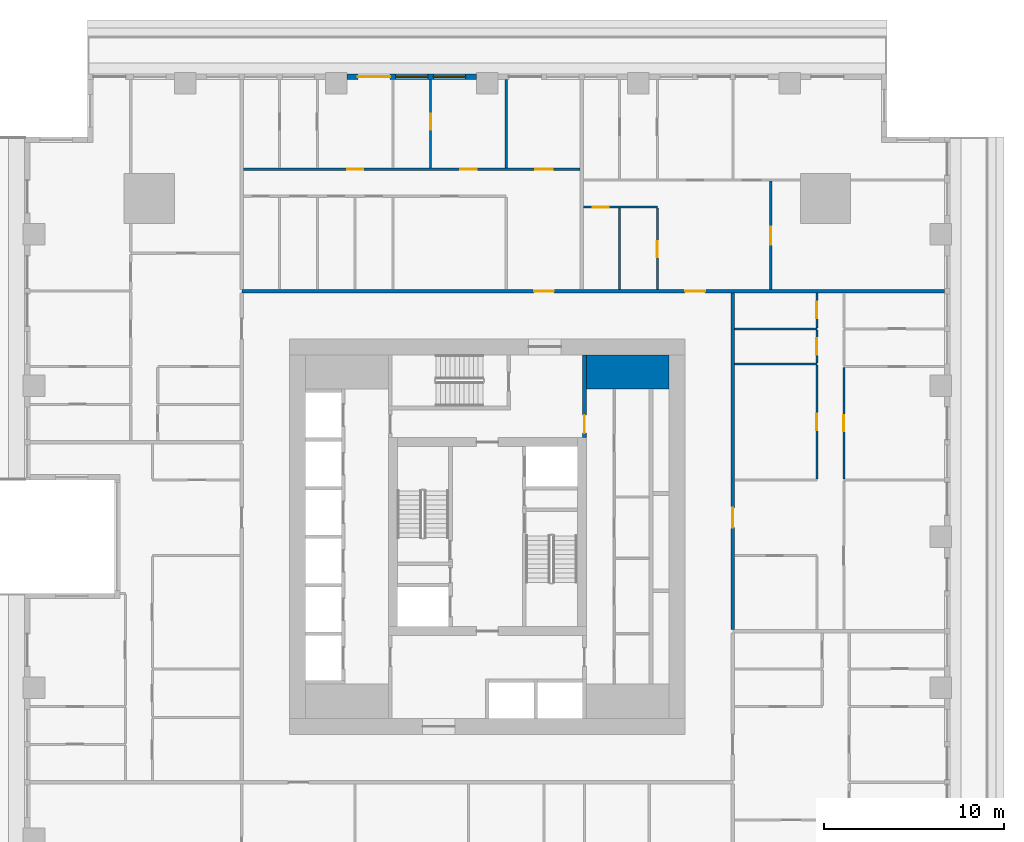
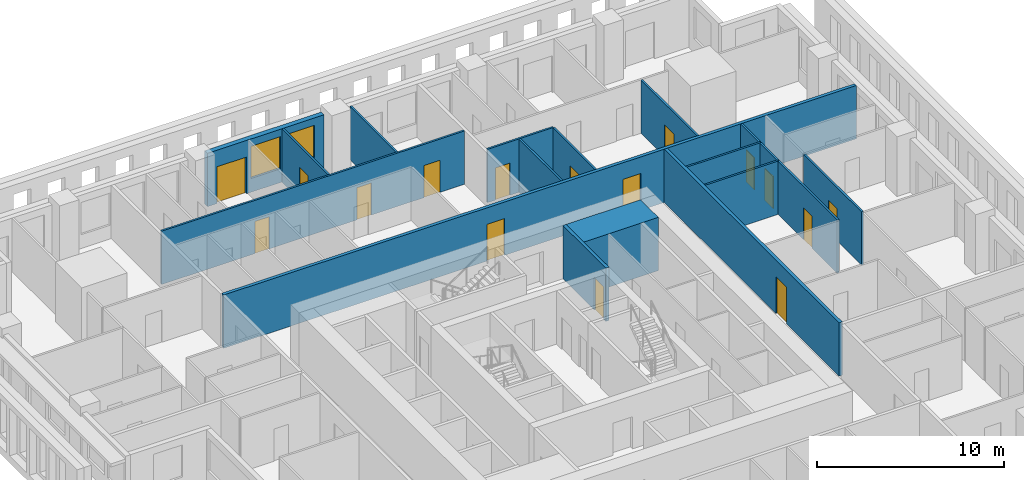
# One storey, part 8 of 15: 18 walls, 16 doors, 2 windows, 18 openings.
"""IFC4 building model written with IfcOpenShell, lengths in metres."""

import ifcopenshell
import ifcopenshell.guid

model = None  # the IFC model being written
_history = None  # IfcOwnerHistory: only IFC2X3 demands one
_inside = {}  # id of a spatial element -> (the spatial element, [elements in it])
_under = {}  # id of a project, library or spatial element -> (it, [spatial elements below it])
_declared = {}  # id of a project -> (the project, [libraries it declares])
_typed = {}  # id of a type object -> (the type object, [elements of that type])
_made_of = {}  # id of a material, layer set ... -> (it, [elements and type objects made of it])


def new_model(schema):
    """Start an empty IFC model of exactly this schema.

    Asked for "IFC4X3", IfcOpenShell would pick the latest addendum, in which some entities
    have other attributes; the version numbers below select the first issue.
    IFC2X3 requires an IfcOwnerHistory on every rooted entity: one is made here for all.
    """
    global model, _history
    if schema == "IFC4X3":
        model = ifcopenshell.file(schema_version=(4, 3, 0, 0))
    else:
        model = ifcopenshell.file(schema=schema)
    _inside.clear()
    _under.clear()
    _declared.clear()
    _typed.clear()
    _made_of.clear()
    _history = None
    if model.schema == "IFC2X3":
        org = make("IfcOrganization", Name="unknown")
        user = make(
            "IfcPersonAndOrganization",
            ThePerson=make("IfcPerson", FamilyName="unknown"),
            TheOrganization=org,
        )
        app = make(
            "IfcApplication",
            ApplicationDeveloper=org,
            Version="unknown",
            ApplicationFullName="unknown",
            ApplicationIdentifier="unknown",
        )
        _history = make(
            "IfcOwnerHistory",
            OwningUser=user,
            OwningApplication=app,
            ChangeAction="ADDED",
            CreationDate=0,
        )
    return model


def make(cls, **values):
    """One entity of the class cls with the attributes given. An attribute that is None is left unset."""
    return model.create_entity(
        cls, **{name: value for name, value in values.items() if value is not None}
    )


def rooted(cls, **values):
    """An entity with a GlobalId (a new one), such as an element, a storey or a relation."""
    return make(cls, GlobalId=ifcopenshell.guid.new(), OwnerHistory=_history, **values)


def si_unit(unit_type, name, prefix=None):
    """IfcSIUnit, for example si_unit("LENGTHUNIT", "METRE", prefix="MILLI")."""
    return make("IfcSIUnit", UnitType=unit_type, Prefix=prefix, Name=name)


def assignment(units):
    """IfcUnitAssignment: the units of a project."""
    return None if units is None else make("IfcUnitAssignment", Units=units)


def point(xyz):
    """IfcCartesianPoint."""
    return None if xyz is None else make("IfcCartesianPoint", Coordinates=xyz)


def direction(xyz):
    """IfcDirection."""
    return None if xyz is None else make("IfcDirection", DirectionRatios=xyz)


def frame(location, z_axis=None, x_axis=None):
    """IfcAxis2Placement3D, a coordinate frame: its origin and axes. An axis left out is left unset."""
    return make(
        "IfcAxis2Placement3D",
        Location=point(location),
        Axis=direction(z_axis),
        RefDirection=direction(x_axis),
    )


def frame_2d(location, x_axis=None):
    """IfcAxis2Placement2D, a coordinate frame in the plane: its origin and x axis."""
    return make(
        "IfcAxis2Placement2D", Location=point(location), RefDirection=direction(x_axis)
    )


def origin():
    """The frame at (0, 0, 0) with its axes left unset."""
    return frame((0.0, 0.0, 0.0))


def place(relative_to, where):
    """IfcLocalPlacement: puts the frame where relative to a parent placement (None: the world)."""
    return make(
        "IfcLocalPlacement", PlacementRelTo=relative_to, RelativePlacement=where
    )


def context(
    kind, dimensions, precision=None, world=None, true_north=None, identifier=None
):
    """IfcGeometricRepresentationContext, for example the 3D "Model" context."""
    return make(
        "IfcGeometricRepresentationContext",
        ContextIdentifier=identifier,
        ContextType=kind,
        CoordinateSpaceDimension=dimensions,
        Precision=precision,
        WorldCoordinateSystem=world,
        TrueNorth=true_north,
    )


def subcontext(parent, identifier, kind, view, scale=None):
    """IfcGeometricRepresentationSubContext, for example "Body" below "Model"."""
    return make(
        "IfcGeometricRepresentationSubContext",
        ContextIdentifier=identifier,
        ContextType=kind,
        ParentContext=parent,
        TargetScale=scale,
        TargetView=view,
    )


def project(units=None, contexts=None):
    """IfcProject with its units and contexts."""
    return rooted(
        "IfcProject",
        Name="project",
        RepresentationContexts=contexts,
        UnitsInContext=assignment(units),
    )


def spatial(cls, under=None, at=None, **own):
    """A site, building, storey or space (cls), placed at a placement, below another one or the project."""
    s = rooted(cls, ObjectPlacement=at, **own)
    if under is not None:
        _under.setdefault(under.id(), (under, []))[1].append(s)
    return s


def profile(cls, at=None, kind="AREA", **sizes):
    """A parametric profile (cls). Its sizes go by their IFC names, for example OverallWidth=200.0."""
    return make(cls, ProfileType=kind, Position=at, **sizes)


def rectangle(**sizes):
    """IfcRectangleProfileDef."""
    return profile("IfcRectangleProfileDef", **sizes)


def extrude(swept, where, along, depth):
    """IfcExtrudedAreaSolid: the profile swept, set in the frame where, extruded along a direction by depth."""
    return make(
        "IfcExtrudedAreaSolid",
        SweptArea=swept,
        Position=where,
        ExtrudedDirection=direction(along),
        Depth=depth,
    )


def shape(context_of_items, identifier, shape_type, items):
    """IfcShapeRepresentation: the items that make up one representation, for example the "Body"."""
    return make(
        "IfcShapeRepresentation",
        ContextOfItems=context_of_items,
        RepresentationIdentifier=identifier,
        RepresentationType=shape_type,
        Items=items,
    )


def material(Name=None, Category=None):
    """IfcMaterial."""
    return make("IfcMaterial", Name=Name, Category=Category)


def layer(
    of_material, thickness, ventilated=None, Name=None, Category=None, Priority=None
):
    """IfcMaterialLayer: one layer of a wall or slab, of a material (None: an air gap)."""
    return make(
        "IfcMaterialLayer",
        Material=of_material,
        LayerThickness=thickness,
        IsVentilated=ventilated,
        Name=Name,
        Category=Category,
        Priority=Priority,
    )


def layer_set(layers, Name=None):
    """IfcMaterialLayerSet."""
    return make("IfcMaterialLayerSet", MaterialLayers=layers, LayerSetName=Name)


def made_of(thing, what):
    """Note that an element or type object is made of a material, layer set ...; save() writes the relation."""
    if what is not None:
        _made_of.setdefault(what.id(), (what, []))[1].append(thing)
    return thing


def type_object(cls, material=None, **own):
    """A type object (cls), such as IfcWallType, which elements share."""
    return made_of(rooted(cls, **own), material)


def element(
    cls,
    number,
    at=None,
    inside=None,
    cuts=None,
    type_object=None,
    material=None,
    context=None,
    identifier="Body",
    shape_type=None,
    held_by="IfcProductDefinitionShape",
    body=None,
    shapes=None,
    **own,
):
    """One element of the class cls, such as IfcWall. Its Tag is "e" and its number.

    at: its placement. inside: the storey or other place that contains it. cuts: it is an
    opening in that element (IfcRelVoidsElement). A single representation is given by context,
    identifier, shape_type and body (its items); several are given by shapes. held_by: the class
    of the entity that holds the representations. save() writes the other relations.
    """
    e = rooted(cls, Tag="e%d" % number, ObjectPlacement=at, **own)
    if body is not None:
        shapes = [shape(context, identifier, shape_type, body)]
    if shapes is not None:
        e.Representation = make(held_by, Representations=shapes)
    if inside is not None:
        _inside.setdefault(inside.id(), (inside, []))[1].append(e)
    if cuts is not None:
        rooted(
            "IfcRelVoidsElement", RelatingBuildingElement=cuts, RelatedOpeningElement=e
        )
    if type_object is not None:
        _typed.setdefault(type_object.id(), (type_object, []))[1].append(e)
    return made_of(e, material)


def fill(opening, filler):
    """IfcRelFillsElement: the door or window that sits in an opening."""
    return rooted(
        "IfcRelFillsElement",
        RelatingOpeningElement=opening,
        RelatedBuildingElement=filler,
    )


def aggregate(whole, parts):
    """IfcRelAggregates: a whole, such as a stair, and the parts it consists of."""
    return rooted("IfcRelAggregates", RelatingObject=whole, RelatedObjects=parts)


def save(model, path):
    """Write the relations noted so far, then the file.

    IfcRelAggregates (storeys below a building ...), IfcRelContainedInSpatialStructure (elements
    in a storey), IfcRelDefinesByType, IfcRelAssociatesMaterial and IfcRelDeclares: one each for
    every whole, place, type object, material and project.
    """
    for whole, parts in _under.values():
        aggregate(whole, parts)
    for where, things in _inside.values():
        rooted(
            "IfcRelContainedInSpatialStructure",
            RelatedElements=things,
            RelatingStructure=where,
        )
    for kind, things in _typed.values():
        rooted("IfcRelDefinesByType", RelatedObjects=things, RelatingType=kind)
    for what, things in _made_of.values():
        rooted("IfcRelAssociatesMaterial", RelatedObjects=things, RelatingMaterial=what)
    for by, libraries in _declared.values():
        rooted("IfcRelDeclares", RelatingContext=by, RelatedDefinitions=libraries)
    model.write(path)


model = new_model("IFC4")

# Units and contexts
model_context = context("Model", 3, precision=1e-05, world=origin(), true_north=direction((0.0, 1.0)))
body_context = subcontext(model_context, "Body", "Model", "MODEL_VIEW")
ifc_project = project(units=[si_unit("LENGTHUNIT", "METRE"), si_unit("AREAUNIT", "SQUARE_METRE"), si_unit("VOLUMEUNIT", "CUBIC_METRE"), si_unit("PLANEANGLEUNIT", "RADIAN"), si_unit("MASSUNIT", "GRAM", prefix="KILO")], contexts=[model_context])

# Site, building, storey
site_placement = place(None, origin())
site = spatial("IfcSite", under=ifc_project, at=site_placement, CompositionType="ELEMENT")
building_placement = place(site_placement, origin())
building = spatial("IfcBuilding", under=site, at=building_placement, Name="Khepri Terraces", CompositionType="ELEMENT")
storey_placement = place(building_placement, frame((0.0, 0.0, 83.10009765625)))
storey = spatial("IfcBuildingStorey", under=building, at=storey_placement, Name="L19", CompositionType="ELEMENT", Elevation=83.10009765625)

# Wall
ifc_material_1 = material(Name="Concrete C70/85", Category="concrete")
ifc_layer_1 = layer(ifc_material_1, 1.89990234375, Name="Concrete C70/85", Category="concrete")
ifc_layer_set_1 = layer_set([ifc_layer_1], Name="Concrete C70/85")
wall_type_1 = type_object("IfcWallType", Name="Core wall 1900 C70/85", PredefinedType="SHEAR", material=ifc_layer_set_1)
wall_1_placement = place(storey_placement, frame((5.5, 9.14990234375, 0.0), z_axis=(0.0, 0.0, 1.0), x_axis=(1.0, 0.0, 0.0)))
element("IfcWall", 1, at=wall_1_placement, inside=storey, type_object=wall_type_1, Name="Core wall PR04 L19", PredefinedType="SHEAR", context=body_context, shape_type="SweptSolid", body=[
    extrude(rectangle(XDim=4.60009765625, YDim=1.89990234375, at=frame_2d((2.300048828125, 0.0))), origin(), (0.0, 0.0, 1.0), 3.47998046875),
])

# Wall, opening, door
ifc_material_2 = material(Name="Fire-rated gypsum board partition")
ifc_layer_2 = layer(ifc_material_2, 0.199951171875, Name="Fire-rated gypsum board partition")
ifc_layer_set_2 = layer_set([ifc_layer_2], Name="Fire-rated gypsum board partition")
wall_type_2 = type_object("IfcWallType", Name="WL-CORE-PART-200", PredefinedType="PARTITIONING", material=ifc_layer_set_2)
wall_2_placement = place(storey_placement, frame((5.39990234375, 5.5, 0.0), z_axis=(0.0, 0.0, 1.0), x_axis=(0.0, 1.0, 0.0)))
wall_2 = element("IfcWall", 2, at=wall_2_placement, inside=storey, type_object=wall_type_2, Name="Core partition PT08 L19", PredefinedType="PARTITIONING", context=body_context, shape_type="SweptSolid", body=[
    extrude(rectangle(XDim=4.60009765625, YDim=0.199951171875, at=frame_2d((2.300048828125, 0.0))), origin(), (0.0, 0.0, 1.0), 3.47998046875),
])
opening_1_placement = place(wall_2_placement, frame((0.25, 0.0, 0.0)))
opening_1 = element("IfcOpeningElement", 3, at=opening_1_placement, cuts=wall_2, Name="Opening L19-C17", PredefinedType="OPENING", context=body_context, shape_type="SweptSolid", body=[
    extrude(rectangle(XDim=1.0, YDim=2.10009765625, at=frame_2d((0.5, 1.050048828125))), frame((0.0, 0.10986328125, 0.0), z_axis=(0.0, -1.0, 0.0), x_axis=(1.0, 0.0, 0.0)), (0.0, 0.0, 1.0), 0.219970703125),
])
ifc_material_3 = material(Name="Painted steel", Category="steel")
door_type_1 = type_object("IfcDoorType", Name="DR-CORE-LOBBY-1000", OperationType="NOTDEFINED", PredefinedType="DOOR", material=ifc_material_3)
door_1_placement = place(opening_1_placement, origin())
door_1 = element("IfcDoor", 4, at=door_1_placement, inside=storey, type_object=door_type_1, Name="Lobby door L19-C17", OperationType="SINGLE_SWING_LEFT", OverallHeight=2.10009765625, OverallWidth=1.0, PredefinedType="DOOR", context=body_context, shape_type="SweptSolid", body=[
    extrude(rectangle(XDim=1.0, YDim=2.10009765625, at=frame_2d((0.5, 1.050048828125))), frame((0.0, 0.02490234375, 0.0), z_axis=(0.0, -1.0, 0.0), x_axis=(1.0, 0.0, 0.0)), (0.0, 0.0, 1.0), 0.050048828125),
])
fill(opening_1, door_1)

ifc_material_4 = material(Name="Fire-rated gypsum plasterboard partition, mineral wool")
ifc_layer_3 = layer(ifc_material_4, 0.199951171875, Name="Fire-rated gypsum plasterboard partition, mineral wool")
ifc_layer_set_3 = layer_set([ifc_layer_3], Name="Fire-rated gypsum plasterboard partition, mineral wool")
wall_type_3 = type_object("IfcWallType", Name="WL-CORR-200", PredefinedType="PARTITIONING", material=ifc_layer_set_3)
wall_3_placement = place(storey_placement, frame((13.64990234375, -5.14990234375, 0.0), z_axis=(0.0, 0.0, 1.0), x_axis=(0.0, 1.0, 0.0)))
wall_3 = element("IfcWall", 5, at=wall_3_placement, inside=storey, type_object=wall_type_3, Name="Partition P-046 L19", PredefinedType="PARTITIONING", context=body_context, shape_type="SweptSolid", body=[
    extrude(rectangle(XDim=18.699951171875, YDim=0.199951171875, at=frame_2d((9.35009765625, 0.0))), origin(), (0.0, 0.0, 1.0), 3.47998046875),
])
opening_2_placement = place(wall_3_placement, frame((5.64990234375, 0.0, 0.0)))
opening_2 = element("IfcOpeningElement", 6, at=opening_2_placement, cuts=wall_3, Name="Opening D1", PredefinedType="OPENING", context=body_context, shape_type="SweptSolid", body=[
    extrude(rectangle(XDim=1.10009765625, YDim=2.39990234375, at=frame_2d((0.550048828125, 1.199951171875))), frame((0.0, 0.10986328125, 0.0), z_axis=(0.0, -1.0, 0.0), x_axis=(1.0, 0.0, 0.0)), (0.0, 0.0, 1.0), 0.219970703125),
])
ifc_material_5 = material(Name="Solid-core timber door leaf, flat entrance door", Category="wood")
door_type_2 = type_object("IfcDoorType", Name="DR-ENT-1100", OperationType="NOTDEFINED", PredefinedType="DOOR", material=ifc_material_5)
door_2_placement = place(opening_2_placement, frame((1.10009765625, 0.0, 0.0), z_axis=(0.0, 0.0, 1.0), x_axis=(-1.0, 0.0, 0.0)))
door_2 = element("IfcDoor", 7, at=door_2_placement, inside=storey, type_object=door_type_2, Name="Flat B2 entrance door", OperationType="SINGLE_SWING_RIGHT", OverallHeight=2.39990234375, OverallWidth=1.10009765625, PredefinedType="DOOR", context=body_context, shape_type="SweptSolid", body=[
    extrude(rectangle(XDim=1.10009765625, YDim=2.39990234375, at=frame_2d((0.550048828125, 1.199951171875))), frame((0.0, 0.02490234375, 0.0), z_axis=(0.0, -1.0, 0.0), x_axis=(1.0, 0.0, 0.0)), (0.0, 0.0, 1.0), 0.050048828125),
])
fill(opening_2, door_2)

# Wall, openings, doors
wall_4_placement = place(storey_placement, frame((-13.64990234375, 13.64990234375, 0.0), z_axis=(0.0, 0.0, 1.0), x_axis=(1.0, 0.0, 0.0)))
wall_4 = element("IfcWall", 8, at=wall_4_placement, inside=storey, type_object=wall_type_3, Name="Partition P-078 L19", PredefinedType="PARTITIONING", context=body_context, shape_type="SweptSolid", body=[
    extrude(rectangle(XDim=39.06982421875, YDim=0.199951171875, at=frame_2d((19.534912109375, 0.0))), origin(), (0.0, 0.0, 1.0), 3.47998046875),
])
opening_3_placement = place(wall_4_placement, frame((24.64990234375, 0.0, 0.0)))
opening_3 = element("IfcOpeningElement", 9, at=opening_3_placement, cuts=wall_4, Name="Opening D1", PredefinedType="OPENING", context=body_context, shape_type="SweptSolid", body=[
    extrude(rectangle(XDim=1.10009765625, YDim=2.39990234375, at=frame_2d((0.550048828125, 1.199951171875))), frame((0.0, 0.10986328125, 0.0), z_axis=(0.0, -1.0, 0.0), x_axis=(1.0, 0.0, 0.0)), (0.0, 0.0, 1.0), 0.219970703125),
])
opening_4_placement = place(wall_4_placement, frame((16.25, 0.0, 0.0)))
opening_4 = element("IfcOpeningElement", 10, at=opening_4_placement, cuts=wall_4, Name="Opening D1", PredefinedType="OPENING", context=body_context, shape_type="SweptSolid", body=[
    extrude(rectangle(XDim=1.10009765625, YDim=2.39990234375, at=frame_2d((0.550048828125, 1.199951171875))), frame((0.0, 0.10986328125, 0.0), z_axis=(0.0, -1.0, 0.0), x_axis=(1.0, 0.0, 0.0)), (0.0, 0.0, 1.0), 0.219970703125),
])
door_3_placement = place(opening_3_placement, origin())
door_3 = element("IfcDoor", 11, at=door_3_placement, inside=storey, type_object=door_type_2, Name="Flat C1 entrance door", OperationType="SINGLE_SWING_RIGHT", OverallHeight=2.39990234375, OverallWidth=1.10009765625, PredefinedType="DOOR", context=body_context, shape_type="SweptSolid", body=[
    extrude(rectangle(XDim=1.10009765625, YDim=2.39990234375, at=frame_2d((0.550048828125, 1.199951171875))), frame((0.0, 0.02490234375, 0.0), z_axis=(0.0, -1.0, 0.0), x_axis=(1.0, 0.0, 0.0)), (0.0, 0.0, 1.0), 0.050048828125),
])
fill(opening_3, door_3)
door_4_placement = place(opening_4_placement, origin())
door_4 = element("IfcDoor", 12, at=door_4_placement, inside=storey, type_object=door_type_2, Name="Flat C2 entrance door", OperationType="SINGLE_SWING_LEFT", OverallHeight=2.39990234375, OverallWidth=1.10009765625, PredefinedType="DOOR", context=body_context, shape_type="SweptSolid", body=[
    extrude(rectangle(XDim=1.10009765625, YDim=2.39990234375, at=frame_2d((0.550048828125, 1.199951171875))), frame((0.0, 0.02490234375, 0.0), z_axis=(0.0, -1.0, 0.0), x_axis=(1.0, 0.0, 0.0)), (0.0, 0.0, 1.0), 0.050048828125),
])
fill(opening_4, door_4)

# Wall, openings, door, windows
ifc_material_6 = material(Name="Precast concrete C50/60 warm stone", Category="masonry")
ifc_layer_4 = layer(ifc_material_6, 0.300048828125, Name="Precast concrete C50/60 warm stone", Category="masonry")
ifc_layer_set_4 = layer_set([ifc_layer_4], Name="Precast concrete C50/60 warm stone")
wall_type_4 = type_object("IfcWallType", Name="WL-EXT-PRECAST-300", PredefinedType="STANDARD", material=ifc_layer_set_4)
wall_5_placement = place(storey_placement, frame((-0.60009765625, 25.570068359375, 0.0), z_axis=(0.0, 0.0, 1.0), x_axis=(-1.0, 0.0, 0.0)))
wall_5 = element("IfcWall", 13, at=wall_5_placement, inside=storey, type_object=wall_type_4, Name="External wall L19 N", PredefinedType="STANDARD", context=body_context, shape_type="SweptSolid", body=[
    extrude(rectangle(XDim=7.199951171875, YDim=0.300048828125, at=frame_2d((3.60009765625, 0.0))), origin(), (0.0, 0.0, 1.0), 3.47998046875),
])
opening_5_placement = place(wall_5_placement, frame((0.60009765625, 0.0, 0.89990234375)))
opening_5 = element("IfcOpeningElement", 14, at=opening_5_placement, cuts=wall_5, Name="Opening W1", PredefinedType="OPENING", context=body_context, shape_type="SweptSolid", body=[
    extrude(rectangle(XDim=1.800048828125, YDim=2.10009765625, at=frame_2d((0.89990234375, 1.050048828125))), frame((0.0, 0.16015625, 0.0), z_axis=(0.0, -1.0, 0.0), x_axis=(1.0, 0.0, 0.0)), (0.0, 0.0, 1.0), 0.320068359375),
])
opening_6_placement = place(wall_5_placement, frame((2.699951171875, 0.0, 0.89990234375)))
opening_6 = element("IfcOpeningElement", 15, at=opening_6_placement, cuts=wall_5, Name="Opening W1", PredefinedType="OPENING", context=body_context, shape_type="SweptSolid", body=[
    extrude(rectangle(XDim=1.800048828125, YDim=2.10009765625, at=frame_2d((0.89990234375, 1.050048828125))), frame((0.0, 0.16015625, 0.0), z_axis=(0.0, -1.0, 0.0), x_axis=(1.0, 0.0, 0.0)), (0.0, 0.0, 1.0), 0.320068359375),
])
opening_7_placement = place(wall_5_placement, frame((4.800048828125, 0.0, 0.0)))
opening_7 = element("IfcOpeningElement", 16, at=opening_7_placement, cuts=wall_5, Name="Opening ED-L19-12", PredefinedType="OPENING", context=body_context, shape_type="SweptSolid", body=[
    extrude(rectangle(XDim=1.800048828125, YDim=2.39990234375, at=frame_2d((0.89990234375, 1.199951171875))), frame((0.0, 0.16015625, 0.0), z_axis=(0.0, -1.0, 0.0), x_axis=(1.0, 0.0, 0.0)), (0.0, 0.0, 1.0), 0.320068359375),
])
ifc_material_7 = material(Name="Anodised aluminium bronze glazed door", Category="aluminium")
door_type_3 = type_object("IfcDoorType", Name="DR-BAL-SLIDE-1800x2400", OperationType="NOTDEFINED", PredefinedType="DOOR", material=ifc_material_7)
door_5_placement = place(opening_7_placement, origin())
door_5 = element("IfcDoor", 17, at=door_5_placement, inside=storey, type_object=door_type_3, Name="Balcony door L19 N", OperationType="SLIDING_TO_RIGHT", OverallHeight=2.39990234375, OverallWidth=1.800048828125, PredefinedType="DOOR", context=body_context, shape_type="SweptSolid", body=[
    extrude(rectangle(XDim=1.800048828125, YDim=2.39990234375, at=frame_2d((0.89990234375, 1.199951171875))), frame((0.0, 0.02490234375, 0.0), z_axis=(0.0, -1.0, 0.0), x_axis=(1.0, 0.0, 0.0)), (0.0, 0.0, 1.0), 0.050048828125),
])
fill(opening_7, door_5)
ifc_material_8 = material(Name="Clear glass", Category="glass")
window_type = type_object("IfcWindowType", Name="WIN-RES-1800x2100", PartitioningType="SINGLE_PANEL", PredefinedType="WINDOW", material=ifc_material_8)
window_1_placement = place(opening_5_placement, origin())
window_1 = element("IfcWindow", 18, at=window_1_placement, inside=storey, type_object=window_type, Name="Window L19 N", OverallHeight=2.10009765625, OverallWidth=1.800048828125, PartitioningType="SINGLE_PANEL", PredefinedType="WINDOW", context=body_context, shape_type="SweptSolid", body=[
    extrude(rectangle(XDim=1.800048828125, YDim=2.10009765625, at=frame_2d((0.89990234375, 1.050048828125))), frame((0.0, 0.030029296875, 0.0), z_axis=(0.0, -1.0, 0.0), x_axis=(1.0, 0.0, 0.0)), (0.0, 0.0, 1.0), 0.06005859375),
])
fill(opening_5, window_1)
window_2_placement = place(opening_6_placement, origin())
window_2 = element("IfcWindow", 19, at=window_2_placement, inside=storey, type_object=window_type, Name="Window L19 N", OverallHeight=2.10009765625, OverallWidth=1.800048828125, PartitioningType="SINGLE_PANEL", PredefinedType="WINDOW", context=body_context, shape_type="SweptSolid", body=[
    extrude(rectangle(XDim=1.800048828125, YDim=2.10009765625, at=frame_2d((0.89990234375, 1.050048828125))), frame((0.0, 0.030029296875, 0.0), z_axis=(0.0, -1.0, 0.0), x_axis=(1.0, 0.0, 0.0)), (0.0, 0.0, 1.0), 0.06005859375),
])
fill(opening_6, window_2)

# Wall, opening, door
ifc_material_9 = material(Name="Gypsum plasterboard partition")
ifc_layer_5 = layer(ifc_material_9, 0.1201171875, Name="Gypsum plasterboard partition")
ifc_layer_set_5 = layer_set([ifc_layer_5], Name="Gypsum plasterboard partition")
wall_type_5 = type_object("IfcWallType", Name="WL-PART-120", PredefinedType="PARTITIONING", material=ifc_layer_set_5)
wall_6_placement = place(storey_placement, frame((18.320068359375, 3.2099609375, 0.0), z_axis=(0.0, 0.0, 1.0), x_axis=(0.0, 1.0, 0.0)))
wall_6 = element("IfcWall", 20, at=wall_6_placement, inside=storey, type_object=wall_type_5, Name="Partition P-056 L19", PredefinedType="PARTITIONING", context=body_context, shape_type="SweptSolid", body=[
    extrude(rectangle(XDim=6.330078125, YDim=0.1201171875, at=frame_2d((3.1650390625, 0.0))), origin(), (0.0, 0.0, 1.0), 3.47998046875),
])
opening_8_placement = place(wall_6_placement, frame((2.715087890625, 0.0, 0.0)))
opening_8 = element("IfcOpeningElement", 21, at=opening_8_placement, cuts=wall_6, Name="Opening D3", PredefinedType="OPENING", context=body_context, shape_type="SweptSolid", body=[
    extrude(rectangle(XDim=0.89990234375, YDim=2.10009765625, at=frame_2d((0.449951171875, 1.050048828125))), frame((0.0, 0.070068359375, 0.0), z_axis=(0.0, -1.0, 0.0), x_axis=(1.0, 0.0, 0.0)), (0.0, 0.0, 1.0), 0.14013671875),
])
ifc_material_10 = material(Name="Timber door leaf", Category="wood")
door_type_4 = type_object("IfcDoorType", Name="DR-INT-900", OperationType="NOTDEFINED", PredefinedType="DOOR", material=ifc_material_10)
door_6_placement = place(opening_8_placement, origin())
door_6 = element("IfcDoor", 22, at=door_6_placement, inside=storey, type_object=door_type_4, Name="Door Kitchen", OperationType="SINGLE_SWING_RIGHT", OverallHeight=2.10009765625, OverallWidth=0.89990234375, PredefinedType="DOOR", context=body_context, shape_type="SweptSolid", body=[
    extrude(rectangle(XDim=0.89990234375, YDim=2.10009765625, at=frame_2d((0.449951171875, 1.050048828125))), frame((0.0, 0.02490234375, 0.0), z_axis=(0.0, -1.0, 0.0), x_axis=(1.0, 0.0, 0.0)), (0.0, 0.0, 1.0), 0.050048828125),
])
fill(opening_8, door_6)

wall_7_placement = place(storey_placement, frame((19.820068359375, 3.2099609375, 0.0), z_axis=(0.0, 0.0, 1.0), x_axis=(0.0, 1.0, 0.0)))
wall_7 = element("IfcWall", 23, at=wall_7_placement, inside=storey, type_object=wall_type_5, Name="Partition P-057 L19", PredefinedType="PARTITIONING", context=body_context, shape_type="SweptSolid", body=[
    extrude(rectangle(XDim=6.179931640625, YDim=0.1201171875, at=frame_2d((3.08984375, 0.0))), origin(), (0.0, 0.0, 1.0), 3.47998046875),
])
opening_9_placement = place(wall_7_placement, frame((2.639892578125, 0.0, 0.0)))
opening_9 = element("IfcOpeningElement", 24, at=opening_9_placement, cuts=wall_7, Name="Opening D3", PredefinedType="OPENING", context=body_context, shape_type="SweptSolid", body=[
    extrude(rectangle(XDim=0.89990234375, YDim=2.10009765625, at=frame_2d((0.449951171875, 1.050048828125))), frame((0.0, 0.070068359375, 0.0), z_axis=(0.0, -1.0, 0.0), x_axis=(1.0, 0.0, 0.0)), (0.0, 0.0, 1.0), 0.14013671875),
])
door_7_placement = place(opening_9_placement, frame((0.89990234375, 0.0, 0.0), z_axis=(0.0, 0.0, 1.0), x_axis=(-1.0, 0.0, 0.0)))
door_7 = element("IfcDoor", 25, at=door_7_placement, inside=storey, type_object=door_type_4, Name="Door Master Bedroom", OperationType="SINGLE_SWING_RIGHT", OverallHeight=2.10009765625, OverallWidth=0.89990234375, PredefinedType="DOOR", context=body_context, shape_type="SweptSolid", body=[
    extrude(rectangle(XDim=0.89990234375, YDim=2.10009765625, at=frame_2d((0.449951171875, 1.050048828125))), frame((0.0, 0.02490234375, 0.0), z_axis=(0.0, -1.0, 0.0), x_axis=(1.0, 0.0, 0.0)), (0.0, 0.0, 1.0), 0.050048828125),
])
fill(opening_9, door_7)

# Wall
wall_8_placement = place(storey_placement, frame((13.75, 9.60009765625, 0.0), z_axis=(0.0, 0.0, 1.0), x_axis=(1.0, 0.0, 0.0)))
element("IfcWall", 26, at=wall_8_placement, inside=storey, type_object=wall_type_5, Name="Partition P-071 L19", PredefinedType="PARTITIONING", context=body_context, shape_type="SweptSolid", body=[
    extrude(rectangle(XDim=4.570068359375, YDim=0.1201171875, at=frame_2d((2.28515625, 0.0))), origin(), (0.0, 0.0, 1.0), 3.47998046875),
])

# Wall, opening, door
wall_9_placement = place(storey_placement, frame((18.320068359375, 9.659912109375, 0.0), z_axis=(0.0, 0.0, 1.0), x_axis=(0.0, 1.0, 0.0)))
wall_9 = element("IfcWall", 27, at=wall_9_placement, inside=storey, type_object=wall_type_5, Name="Partition P-072 L19", PredefinedType="PARTITIONING", context=body_context, shape_type="SweptSolid", body=[
    extrude(rectangle(XDim=1.830078125, YDim=0.1201171875, at=frame_2d((0.9150390625, 0.0))), origin(), (0.0, 0.0, 1.0), 3.47998046875),
])
opening_10_placement = place(wall_9_placement, frame((0.465087890625, 0.0, 0.0)))
opening_10 = element("IfcOpeningElement", 28, at=opening_10_placement, cuts=wall_9, Name="Opening D4", PredefinedType="OPENING", context=body_context, shape_type="SweptSolid", body=[
    extrude(rectangle(XDim=0.89990234375, YDim=2.10009765625, at=frame_2d((0.449951171875, 1.050048828125))), frame((0.0, 0.070068359375, 0.0), z_axis=(0.0, -1.0, 0.0), x_axis=(1.0, 0.0, 0.0)), (0.0, 0.0, 1.0), 0.14013671875),
])
ifc_material_11 = material(Name="Timber door leaf, moisture resistant", Category="wood")
door_type_5 = type_object("IfcDoorType", Name="DR-WET-900", OperationType="NOTDEFINED", PredefinedType="DOOR", material=ifc_material_11)
door_8_placement = place(opening_10_placement, origin())
door_8 = element("IfcDoor", 29, at=door_8_placement, inside=storey, type_object=door_type_5, Name="Door Guest Bathroom", OperationType="SINGLE_SWING_LEFT", OverallHeight=2.10009765625, OverallWidth=0.89990234375, PredefinedType="DOOR", context=body_context, shape_type="SweptSolid", body=[
    extrude(rectangle(XDim=0.89990234375, YDim=2.10009765625, at=frame_2d((0.449951171875, 1.050048828125))), frame((0.0, 0.02490234375, 0.0), z_axis=(0.0, -1.0, 0.0), x_axis=(1.0, 0.0, 0.0)), (0.0, 0.0, 1.0), 0.050048828125),
])
fill(opening_10, door_8)

# Wall
wall_10_placement = place(storey_placement, frame((13.75, 11.550048828125, 0.0), z_axis=(0.0, 0.0, 1.0), x_axis=(1.0, 0.0, 0.0)))
element("IfcWall", 30, at=wall_10_placement, inside=storey, type_object=wall_type_5, Name="Partition P-073 L19", PredefinedType="PARTITIONING", context=body_context, shape_type="SweptSolid", body=[
    extrude(rectangle(XDim=4.570068359375, YDim=0.1201171875, at=frame_2d((2.28515625, 0.0))), origin(), (0.0, 0.0, 1.0), 3.47998046875),
])

# Wall, opening, door
wall_11_placement = place(storey_placement, frame((18.320068359375, 11.610107421875, 0.0), z_axis=(0.0, 0.0, 1.0), x_axis=(0.0, 1.0, 0.0)))
wall_11 = element("IfcWall", 31, at=wall_11_placement, inside=storey, type_object=wall_type_5, Name="Partition P-075 L19", PredefinedType="PARTITIONING", context=body_context, shape_type="SweptSolid", body=[
    extrude(rectangle(XDim=1.93994140625, YDim=0.1201171875, at=frame_2d((0.969970703125, 0.0))), origin(), (0.0, 0.0, 1.0), 3.47998046875),
])
opening_11_placement = place(wall_11_placement, frame((0.5400390625, 0.0, 0.0)))
opening_11 = element("IfcOpeningElement", 32, at=opening_11_placement, cuts=wall_11, Name="Opening D3", PredefinedType="OPENING", context=body_context, shape_type="SweptSolid", body=[
    extrude(rectangle(XDim=0.89990234375, YDim=2.10009765625, at=frame_2d((0.449951171875, 1.050048828125))), frame((0.0, 0.070068359375, 0.0), z_axis=(0.0, -1.0, 0.0), x_axis=(1.0, 0.0, 0.0)), (0.0, 0.0, 1.0), 0.14013671875),
])
door_9_placement = place(opening_11_placement, origin())
door_9 = element("IfcDoor", 33, at=door_9_placement, inside=storey, type_object=door_type_4, Name="Door Utility Room", OperationType="SINGLE_SWING_RIGHT", OverallHeight=2.10009765625, OverallWidth=0.89990234375, PredefinedType="DOOR", context=body_context, shape_type="SweptSolid", body=[
    extrude(rectangle(XDim=0.89990234375, YDim=2.10009765625, at=frame_2d((0.449951171875, 1.050048828125))), frame((0.0, 0.02490234375, 0.0), z_axis=(0.0, -1.0, 0.0), x_axis=(1.0, 0.0, 0.0)), (0.0, 0.0, 1.0), 0.050048828125),
])
fill(opening_11, door_9)

# Wall
wall_12_placement = place(storey_placement, frame((7.35009765625, 13.75, 0.0), z_axis=(0.0, 0.0, 1.0), x_axis=(0.0, 1.0, 0.0)))
element("IfcWall", 34, at=wall_12_placement, inside=storey, type_object=wall_type_5, Name="Partition P-087 L19", PredefinedType="PARTITIONING", context=body_context, shape_type="SweptSolid", body=[
    extrude(rectangle(XDim=4.510009765625, YDim=0.1201171875, at=frame_2d((2.2548828125, 0.0))), origin(), (0.0, 0.0, 1.0), 3.47998046875),
])

# Wall, opening, door
wall_13_placement = place(storey_placement, frame((9.449951171875, 13.75, 0.0), z_axis=(0.0, 0.0, 1.0), x_axis=(0.0, 1.0, 0.0)))
wall_13 = element("IfcWall", 35, at=wall_13_placement, inside=storey, type_object=wall_type_5, Name="Partition P-088 L19", PredefinedType="PARTITIONING", context=body_context, shape_type="SweptSolid", body=[
    extrude(rectangle(XDim=4.510009765625, YDim=0.1201171875, at=frame_2d((2.2548828125, 0.0))), origin(), (0.0, 0.0, 1.0), 3.47998046875),
])
opening_12_placement = place(wall_13_placement, frame((1.784912109375, 0.0, 0.0)))
opening_12 = element("IfcOpeningElement", 36, at=opening_12_placement, cuts=wall_13, Name="Opening D4", PredefinedType="OPENING", context=body_context, shape_type="SweptSolid", body=[
    extrude(rectangle(XDim=0.89990234375, YDim=2.10009765625, at=frame_2d((0.449951171875, 1.050048828125))), frame((0.0, 0.070068359375, 0.0), z_axis=(0.0, -1.0, 0.0), x_axis=(1.0, 0.0, 0.0)), (0.0, 0.0, 1.0), 0.14013671875),
])
door_10_placement = place(opening_12_placement, origin())
door_10 = element("IfcDoor", 37, at=door_10_placement, inside=storey, type_object=door_type_5, Name="Door Guest Bathroom", OperationType="SINGLE_SWING_LEFT", OverallHeight=2.10009765625, OverallWidth=0.89990234375, PredefinedType="DOOR", context=body_context, shape_type="SweptSolid", body=[
    extrude(rectangle(XDim=0.89990234375, YDim=2.10009765625, at=frame_2d((0.449951171875, 1.050048828125))), frame((0.0, 0.02490234375, 0.0), z_axis=(0.0, -1.0, 0.0), x_axis=(1.0, 0.0, 0.0)), (0.0, 0.0, 1.0), 0.050048828125),
])
fill(opening_12, door_10)

wall_14_placement = place(storey_placement, frame((15.75, 13.75, 0.0), z_axis=(0.0, 0.0, 1.0), x_axis=(0.0, 1.0, 0.0)))
wall_14 = element("IfcWall", 38, at=wall_14_placement, inside=storey, type_object=wall_type_5, Name="Partition P-089 L19", PredefinedType="PARTITIONING", context=body_context, shape_type="SweptSolid", body=[
    extrude(rectangle(XDim=6.010009765625, YDim=0.1201171875, at=frame_2d((3.0048828125, 0.0))), origin(), (0.0, 0.0, 1.0), 3.47998046875),
])
opening_13_placement = place(wall_14_placement, frame((2.485107421875, 0.0, 0.0)))
opening_13 = element("IfcOpeningElement", 39, at=opening_13_placement, cuts=wall_14, Name="Opening D2", PredefinedType="OPENING", context=body_context, shape_type="SweptSolid", body=[
    extrude(rectangle(XDim=1.0, YDim=2.10009765625, at=frame_2d((0.5, 1.050048828125))), frame((0.0, 0.070068359375, 0.0), z_axis=(0.0, -1.0, 0.0), x_axis=(1.0, 0.0, 0.0)), (0.0, 0.0, 1.0), 0.14013671875),
])
ifc_material_12 = material(Name="Timber door leaf, living room door", Category="wood")
door_type_6 = type_object("IfcDoorType", Name="DR-INT-1000", OperationType="NOTDEFINED", PredefinedType="DOOR", material=ifc_material_12)
door_11_placement = place(opening_13_placement, frame((1.0, 0.0, 0.0), z_axis=(0.0, 0.0, 1.0), x_axis=(-1.0, 0.0, 0.0)))
door_11 = element("IfcDoor", 40, at=door_11_placement, inside=storey, type_object=door_type_6, Name="Door Family Room", OperationType="SINGLE_SWING_RIGHT", OverallHeight=2.10009765625, OverallWidth=1.0, PredefinedType="DOOR", context=body_context, shape_type="SweptSolid", body=[
    extrude(rectangle(XDim=1.0, YDim=2.10009765625, at=frame_2d((0.5, 1.050048828125))), frame((0.0, 0.02490234375, 0.0), z_axis=(0.0, -1.0, 0.0), x_axis=(1.0, 0.0, 0.0)), (0.0, 0.0, 1.0), 0.050048828125),
])
fill(opening_13, door_11)

wall_15_placement = place(storey_placement, frame((5.35009765625, 18.320068359375, 0.0), z_axis=(0.0, 0.0, 1.0), x_axis=(1.0, 0.0, 0.0)))
wall_15 = element("IfcWall", 41, at=wall_15_placement, inside=storey, type_object=wall_type_5, Name="Partition P-092 L19", PredefinedType="PARTITIONING", context=body_context, shape_type="SweptSolid", body=[
    extrude(rectangle(XDim=4.099853515625, YDim=0.1201171875, at=frame_2d((2.0498046875, 0.0))), origin(), (0.0, 0.0, 1.0), 3.47998046875),
])
opening_14_placement = place(wall_15_placement, frame((0.5, 0.0, 0.0)))
opening_14 = element("IfcOpeningElement", 42, at=opening_14_placement, cuts=wall_15, Name="Opening D3", PredefinedType="OPENING", context=body_context, shape_type="SweptSolid", body=[
    extrude(rectangle(XDim=0.89990234375, YDim=2.10009765625, at=frame_2d((0.449951171875, 1.050048828125))), frame((0.0, 0.070068359375, 0.0), z_axis=(0.0, -1.0, 0.0), x_axis=(1.0, 0.0, 0.0)), (0.0, 0.0, 1.0), 0.14013671875),
])
door_12_placement = place(opening_14_placement, frame((0.89990234375, 0.0, 0.0), z_axis=(0.0, 0.0, 1.0), x_axis=(-1.0, 0.0, 0.0)))
door_12 = element("IfcDoor", 43, at=door_12_placement, inside=storey, type_object=door_type_4, Name="Door Kitchen", OperationType="SINGLE_SWING_RIGHT", OverallHeight=2.10009765625, OverallWidth=0.89990234375, PredefinedType="DOOR", context=body_context, shape_type="SweptSolid", body=[
    extrude(rectangle(XDim=0.89990234375, YDim=2.10009765625, at=frame_2d((0.449951171875, 1.050048828125))), frame((0.0, 0.02490234375, 0.0), z_axis=(0.0, -1.0, 0.0), x_axis=(1.0, 0.0, 0.0)), (0.0, 0.0, 1.0), 0.050048828125),
])
fill(opening_14, door_12)

# Wall, openings, doors
wall_16_placement = place(storey_placement, frame((-13.550048828125, 20.419921875, 0.0), z_axis=(0.0, 0.0, 1.0), x_axis=(1.0, 0.0, 0.0)))
wall_16 = element("IfcWall", 44, at=wall_16_placement, inside=storey, type_object=wall_type_5, Name="Partition P-100 L19", PredefinedType="PARTITIONING", context=body_context, shape_type="SweptSolid", body=[
    extrude(rectangle(XDim=18.699951171875, YDim=0.1201171875, at=frame_2d((9.35009765625, 0.0))), origin(), (0.0, 0.0, 1.0), 3.47998046875),
])
opening_15_placement = place(wall_16_placement, frame((16.199951171875, 0.0, 0.0)))
opening_15 = element("IfcOpeningElement", 45, at=opening_15_placement, cuts=wall_16, Name="Opening D2", PredefinedType="OPENING", context=body_context, shape_type="SweptSolid", body=[
    extrude(rectangle(XDim=1.0, YDim=2.10009765625, at=frame_2d((0.5, 1.050048828125))), frame((0.0, 0.070068359375, 0.0), z_axis=(0.0, -1.0, 0.0), x_axis=(1.0, 0.0, 0.0)), (0.0, 0.0, 1.0), 0.14013671875),
])
opening_16_placement = place(wall_16_placement, frame((12.050048828125, 0.0, 0.0)))
opening_16 = element("IfcOpeningElement", 46, at=opening_16_placement, cuts=wall_16, Name="Opening D3", PredefinedType="OPENING", context=body_context, shape_type="SweptSolid", body=[
    extrude(rectangle(XDim=0.89990234375, YDim=2.10009765625, at=frame_2d((0.449951171875, 1.050048828125))), frame((0.0, 0.070068359375, 0.0), z_axis=(0.0, -1.0, 0.0), x_axis=(1.0, 0.0, 0.0)), (0.0, 0.0, 1.0), 0.14013671875),
])
opening_17_placement = place(wall_16_placement, frame((5.75, 0.0, 0.0)))
opening_17 = element("IfcOpeningElement", 47, at=opening_17_placement, cuts=wall_16, Name="Opening D3", PredefinedType="OPENING", context=body_context, shape_type="SweptSolid", body=[
    extrude(rectangle(XDim=0.89990234375, YDim=2.10009765625, at=frame_2d((0.449951171875, 1.050048828125))), frame((0.0, 0.070068359375, 0.0), z_axis=(0.0, -1.0, 0.0), x_axis=(1.0, 0.0, 0.0)), (0.0, 0.0, 1.0), 0.14013671875),
])
door_13_placement = place(opening_15_placement, origin())
door_13 = element("IfcDoor", 48, at=door_13_placement, inside=storey, type_object=door_type_6, Name="Door Living Room", OperationType="SINGLE_SWING_RIGHT", OverallHeight=2.10009765625, OverallWidth=1.0, PredefinedType="DOOR", context=body_context, shape_type="SweptSolid", body=[
    extrude(rectangle(XDim=1.0, YDim=2.10009765625, at=frame_2d((0.5, 1.050048828125))), frame((0.0, 0.02490234375, 0.0), z_axis=(0.0, -1.0, 0.0), x_axis=(1.0, 0.0, 0.0)), (0.0, 0.0, 1.0), 0.050048828125),
])
fill(opening_15, door_13)
door_14_placement = place(opening_16_placement, origin())
door_14 = element("IfcDoor", 49, at=door_14_placement, inside=storey, type_object=door_type_4, Name="Door Bedroom", OperationType="SINGLE_SWING_RIGHT", OverallHeight=2.10009765625, OverallWidth=0.89990234375, PredefinedType="DOOR", context=body_context, shape_type="SweptSolid", body=[
    extrude(rectangle(XDim=0.89990234375, YDim=2.10009765625, at=frame_2d((0.449951171875, 1.050048828125))), frame((0.0, 0.02490234375, 0.0), z_axis=(0.0, -1.0, 0.0), x_axis=(1.0, 0.0, 0.0)), (0.0, 0.0, 1.0), 0.050048828125),
])
fill(opening_16, door_14)
door_15_placement = place(opening_17_placement, origin())
door_15 = element("IfcDoor", 50, at=door_15_placement, inside=storey, type_object=door_type_4, Name="Door Master Bedroom", OperationType="SINGLE_SWING_LEFT", OverallHeight=2.10009765625, OverallWidth=0.89990234375, PredefinedType="DOOR", context=body_context, shape_type="SweptSolid", body=[
    extrude(rectangle(XDim=0.89990234375, YDim=2.10009765625, at=frame_2d((0.449951171875, 1.050048828125))), frame((0.0, 0.02490234375, 0.0), z_axis=(0.0, -1.0, 0.0), x_axis=(1.0, 0.0, 0.0)), (0.0, 0.0, 1.0), 0.050048828125),
])
fill(opening_17, door_15)

# Wall, opening, door
wall_17_placement = place(storey_placement, frame((-3.14990234375, 20.47998046875, 0.0), z_axis=(0.0, 0.0, 1.0), x_axis=(0.0, 1.0, 0.0)))
wall_17 = element("IfcWall", 51, at=wall_17_placement, inside=storey, type_object=wall_type_5, Name="Partition P-104 L19", PredefinedType="PARTITIONING", context=body_context, shape_type="SweptSolid", body=[
    extrude(rectangle(XDim=4.93994140625, YDim=0.1201171875, at=frame_2d((2.469970703125, 0.0))), origin(), (0.0, 0.0, 1.0), 3.47998046875),
])
opening_18_placement = place(wall_17_placement, frame((2.139892578125, 0.0, 0.0)))
opening_18 = element("IfcOpeningElement", 52, at=opening_18_placement, cuts=wall_17, Name="Opening D4", PredefinedType="OPENING", context=body_context, shape_type="SweptSolid", body=[
    extrude(rectangle(XDim=0.89990234375, YDim=2.10009765625, at=frame_2d((0.449951171875, 1.050048828125))), frame((0.0, 0.070068359375, 0.0), z_axis=(0.0, -1.0, 0.0), x_axis=(1.0, 0.0, 0.0)), (0.0, 0.0, 1.0), 0.14013671875),
])
door_16_placement = place(opening_18_placement, origin())
door_16 = element("IfcDoor", 53, at=door_16_placement, inside=storey, type_object=door_type_5, Name="Door Bathroom", OperationType="SINGLE_SWING_RIGHT", OverallHeight=2.10009765625, OverallWidth=0.89990234375, PredefinedType="DOOR", context=body_context, shape_type="SweptSolid", body=[
    extrude(rectangle(XDim=0.89990234375, YDim=2.10009765625, at=frame_2d((0.449951171875, 1.050048828125))), frame((0.0, 0.02490234375, 0.0), z_axis=(0.0, -1.0, 0.0), x_axis=(1.0, 0.0, 0.0)), (0.0, 0.0, 1.0), 0.050048828125),
])
fill(opening_18, door_16)

# Wall
wall_18_placement = place(storey_placement, frame((1.050048828125, 20.47998046875, 0.0), z_axis=(0.0, 0.0, 1.0), x_axis=(0.0, 1.0, 0.0)))
element("IfcWall", 54, at=wall_18_placement, inside=storey, type_object=wall_type_5, Name="Partition P-105 L19", PredefinedType="PARTITIONING", context=body_context, shape_type="SweptSolid", body=[
    extrude(rectangle(XDim=4.93994140625, YDim=0.1201171875, at=frame_2d((2.469970703125, 0.0))), origin(), (0.0, 0.0, 1.0), 3.47998046875),
])

save(model, "model.ifc")
